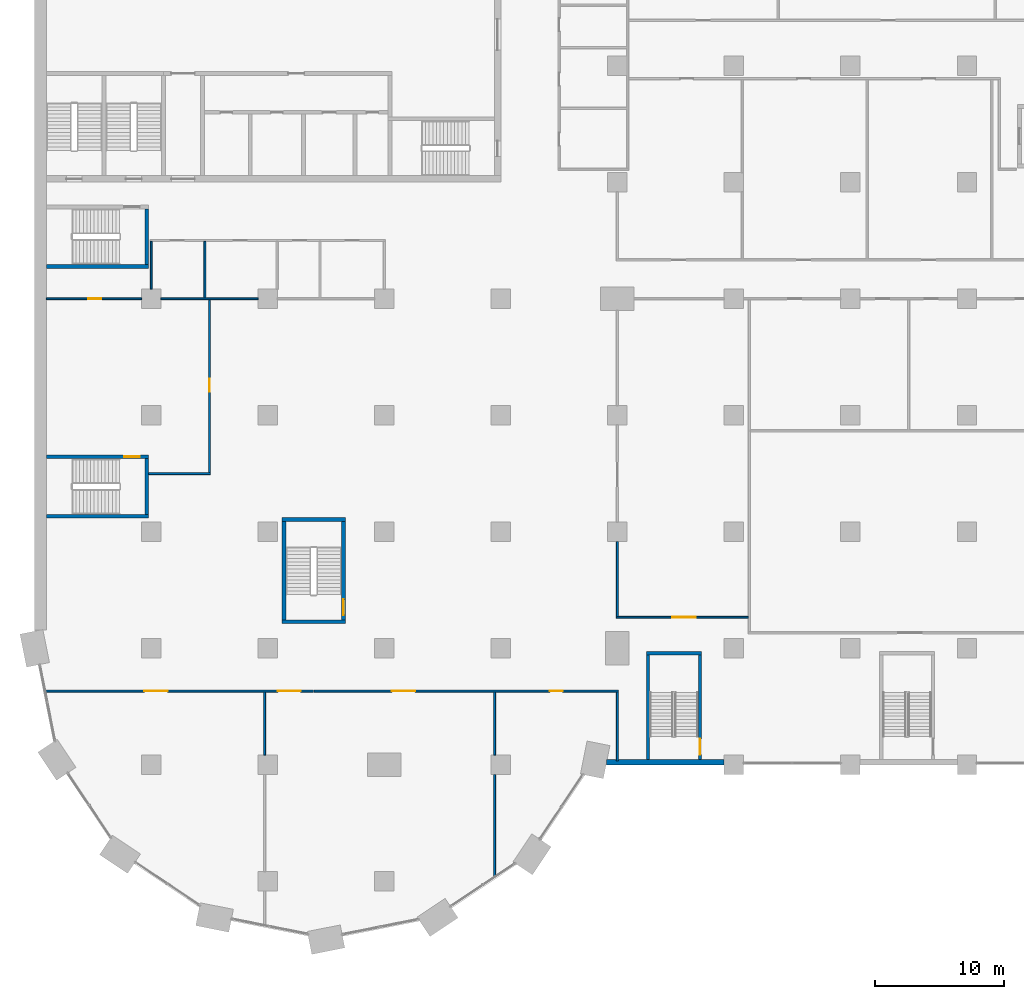
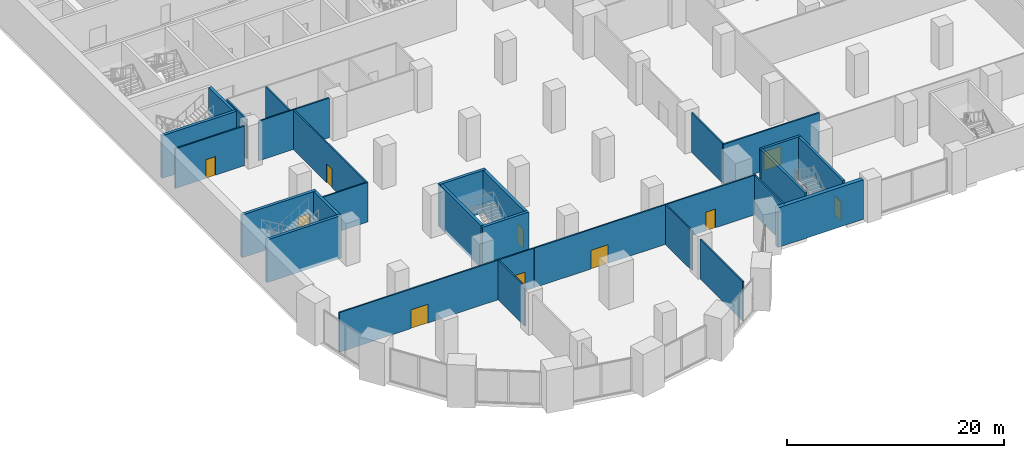
# One storey, part 12 of 31: 27 walls, 10 doors, 10 openings.
"""IFC4 building model written with IfcOpenShell, lengths in metres."""

from ifc_helpers import new_model, si_unit, direction, frame, frame_2d, origin, place, context, subcontext, project, spatial, rectangle, extrude, material, layer, layer_set, type_object, element, fill, save


model = new_model("IFC4")

# Units and contexts
model_context = context("Model", 3, precision=1e-05, world=origin(), true_north=direction((0.0, 1.0)))
body_context = subcontext(model_context, "Body", "Model", "MODEL_VIEW")
ifc_project = project(units=[si_unit("LENGTHUNIT", "METRE"), si_unit("AREAUNIT", "SQUARE_METRE"), si_unit("VOLUMEUNIT", "CUBIC_METRE"), si_unit("PLANEANGLEUNIT", "RADIAN"), si_unit("MASSUNIT", "GRAM", prefix="KILO")], contexts=[model_context])

# Site, building, storey
site_placement = place(None, origin())
site = spatial("IfcSite", under=ifc_project, at=site_placement, CompositionType="ELEMENT")
building_placement = place(site_placement, origin())
building = spatial("IfcBuilding", under=site, at=building_placement, Name="Hunhe Ridgeline Campus", CompositionType="ELEMENT")
storey_placement = place(building_placement, frame((0.0, 0.0, 16.800048828125)))
storey = spatial("IfcBuildingStorey", under=building, at=storey_placement, Name="L03", CompositionType="ELEMENT", Elevation=16.800048828125)

# Wall, opening, door
ifc_material_1 = material(Name="Plastered blockwork", Category="masonry")
ifc_layer_1 = layer(ifc_material_1, 0.14990234375)
ifc_layer_set_1 = layer_set([ifc_layer_1], Name="Blockwork partition 150")
wall_type_1 = type_object("IfcWallType", Name="Blockwork partition 150", PredefinedType="PARTITIONING", material=ifc_layer_set_1)
wall_1_placement = place(storey_placement, frame((55.125, 29.39990234375, 0.0), z_axis=(0.0, 0.0, 1.0), x_axis=(-1.0, 0.0, 0.0)))
wall_1 = element("IfcWall", 1, at=wall_1_placement, inside=storey, type_object=wall_type_1, Name="L03 partition", PredefinedType="PARTITIONING", context=body_context, shape_type="SweptSolid", body=[
    extrude(rectangle(XDim=10.199951171875, YDim=0.14990234375, at=frame_2d((5.10009765625, 0.0))), origin(), (0.0, 0.0, 1.0), 4.449951171875),
])
opening_1_placement = place(wall_1_placement, frame((4.074951171875, 0.0, 0.0)))
opening_1 = element("IfcOpeningElement", 2, at=opening_1_placement, cuts=wall_1, Name="Opening PD409", PredefinedType="OPENING", context=body_context, shape_type="SweptSolid", body=[
    extrude(rectangle(XDim=1.800048828125, YDim=2.10009765625, at=frame_2d((0.89990234375, 1.050048828125))), frame((0.0, 0.074951171875, 0.0), z_axis=(0.0, -1.0, 0.0), x_axis=(1.0, 0.0, 0.0)), (0.0, 0.0, 1.0), 0.14990234375),
])
ifc_material_2 = material(Name="Timber", Category="wood")
door_type_1 = type_object("IfcDoorType", Name="Podium timber double door 1800x2100", OperationType="NOTDEFINED", PredefinedType="DOOR", material=ifc_material_2)
door_1_placement = place(opening_1_placement, origin())
door_1 = element("IfcDoor", 3, at=door_1_placement, inside=storey, type_object=door_type_1, Name="Silent Study Room door", OperationType="DOUBLE_DOOR_SINGLE_SWING", OverallHeight=2.10009765625, OverallWidth=1.800048828125, PredefinedType="DOOR", context=body_context, shape_type="SweptSolid", body=[
    extrude(rectangle(XDim=1.800048828125, YDim=2.10009765625, at=frame_2d((0.89990234375, 1.050048828125))), frame((0.0, 0.02490234375, 0.0), z_axis=(0.0, -1.0, 0.0), x_axis=(1.0, 0.0, 0.0)), (0.0, 0.0, 1.0), 0.050048828125),
])
fill(opening_1, door_1)

# Walls
wall_2_placement = place(storey_placement, frame((45.0, 23.625, 0.0), z_axis=(0.0, 0.0, 1.0), x_axis=(0.0, -1.0, 0.0)))
element("IfcWall", 4, at=wall_2_placement, inside=storey, type_object=wall_type_1, Name="L03 partition", PredefinedType="PARTITIONING", context=body_context, shape_type="SweptSolid", body=[
    extrude(rectangle(XDim=5.324951171875, YDim=0.14990234375, at=frame_2d((2.66259765625, 0.0))), origin(), (0.0, 0.0, 1.0), 4.449951171875),
])
wall_3_placement = place(storey_placement, frame((45.0, 29.47509765625, 0.0), z_axis=(0.0, 0.0, 1.0), x_axis=(0.0, 1.0, 0.0)))
element("IfcWall", 5, at=wall_3_placement, inside=storey, type_object=wall_type_1, Name="L03 partition", PredefinedType="PARTITIONING", context=body_context, shape_type="SweptSolid", body=[
    extrude(rectangle(XDim=5.77490234375, YDim=0.14990234375, at=frame_2d((2.887451171875, 0.0))), origin(), (0.0, 0.0, 1.0), 4.449951171875),
])

# Wall, opening, door
wall_4_placement = place(storey_placement, frame((0.89990234375, 54.0, 0.0), z_axis=(0.0, 0.0, 1.0), x_axis=(1.0, 0.0, 0.0)))
wall_4 = element("IfcWall", 6, at=wall_4_placement, inside=storey, type_object=wall_type_1, Name="L03 partition", PredefinedType="PARTITIONING", context=body_context, shape_type="SweptSolid", body=[
    extrude(rectangle(XDim=7.35009765625, YDim=0.14990234375, at=frame_2d((3.675048828125, 0.0))), origin(), (0.0, 0.0, 1.0), 4.449951171875),
])
opening_2_placement = place(wall_4_placement, frame((3.25, 0.0, 0.0)))
opening_2 = element("IfcOpeningElement", 7, at=opening_2_placement, cuts=wall_4, Name="Opening PD422", PredefinedType="OPENING", context=body_context, shape_type="SweptSolid", body=[
    extrude(rectangle(XDim=1.0, YDim=2.10009765625, at=frame_2d((0.5, 1.050048828125))), frame((0.0, 0.074951171875, 0.0), z_axis=(0.0, -1.0, 0.0), x_axis=(1.0, 0.0, 0.0)), (0.0, 0.0, 1.0), 0.14990234375),
])
door_type_2 = type_object("IfcDoorType", Name="Podium timber door 1000x2100", OperationType="NOTDEFINED", PredefinedType="DOOR", material=ifc_material_2)
door_2_placement = place(opening_2_placement, origin())
door_2 = element("IfcDoor", 8, at=door_2_placement, inside=storey, type_object=door_type_2, Name="Librarians Office door", OperationType="SINGLE_SWING_RIGHT", OverallHeight=2.10009765625, OverallWidth=1.0, PredefinedType="DOOR", context=body_context, shape_type="SweptSolid", body=[
    extrude(rectangle(XDim=1.0, YDim=2.10009765625, at=frame_2d((0.5, 1.050048828125))), frame((0.0, 0.02490234375, 0.0), z_axis=(0.0, -1.0, 0.0), x_axis=(1.0, 0.0, 0.0)), (0.0, 0.0, 1.0), 0.050048828125),
])
fill(opening_2, door_2)

# Walls
wall_5_placement = place(storey_placement, frame((9.75, 54.0, 0.0), z_axis=(0.0, 0.0, 1.0), x_axis=(1.0, 0.0, 0.0)))
element("IfcWall", 9, at=wall_5_placement, inside=storey, type_object=wall_type_1, Name="L03 partition", PredefinedType="PARTITIONING", context=body_context, shape_type="SweptSolid", body=[
    extrude(rectangle(XDim=7.5, YDim=0.14990234375, at=frame_2d((3.75, 0.0))), origin(), (0.0, 0.0, 1.0), 4.449951171875),
])
wall_6_placement = place(storey_placement, frame((17.762939453125, 18.75, 0.0), z_axis=(0.0, 0.0, 1.0), x_axis=(0.0, 1.0, 0.0)))
element("IfcWall", 10, at=wall_6_placement, inside=storey, type_object=wall_type_1, Name="L03 partition", PredefinedType="PARTITIONING", context=body_context, shape_type="SweptSolid", body=[
    extrude(rectangle(XDim=4.875, YDim=0.14990234375, at=frame_2d((2.4375, 0.0))), origin(), (0.0, 0.0, 1.0), 4.449951171875),
])

# Wall, openings, doors
wall_7_placement = place(storey_placement, frame((0.842041015625, 23.699951171875, 0.0), z_axis=(0.0, 0.0, 1.0), x_axis=(1.0, 0.0, 0.0)))
wall_7 = element("IfcWall", 11, at=wall_7_placement, inside=storey, type_object=wall_type_1, Name="L03 partition", PredefinedType="PARTITIONING", context=body_context, shape_type="SweptSolid", body=[
    extrude(rectangle(XDim=20.677978515625, YDim=0.14990234375, at=frame_2d((10.3388671875, 0.0))), origin(), (0.0, 0.0, 1.0), 4.449951171875),
])
opening_3_placement = place(wall_7_placement, frame((7.6201171875, 0.0, 0.0)))
opening_3 = element("IfcOpeningElement", 12, at=opening_3_placement, cuts=wall_7, Name="Opening PD417", PredefinedType="OPENING", context=body_context, shape_type="SweptSolid", body=[
    extrude(rectangle(XDim=1.800048828125, YDim=2.10009765625, at=frame_2d((0.89990234375, 1.050048828125))), frame((0.0, 0.074951171875, 0.0), z_axis=(0.0, -1.0, 0.0), x_axis=(1.0, 0.0, 0.0)), (0.0, 0.0, 1.0), 0.14990234375),
])
opening_4_placement = place(wall_7_placement, frame((17.9208984375, 0.0, 0.0)))
opening_4 = element("IfcOpeningElement", 13, at=opening_4_placement, cuts=wall_7, Name="Opening PD419", PredefinedType="OPENING", context=body_context, shape_type="SweptSolid", body=[
    extrude(rectangle(XDim=1.800048828125, YDim=2.10009765625, at=frame_2d((0.89990234375, 1.050048828125))), frame((0.0, 0.074951171875, 0.0), z_axis=(0.0, -1.0, 0.0), x_axis=(1.0, 0.0, 0.0)), (0.0, 0.0, 1.0), 0.14990234375),
])
door_3_placement = place(opening_3_placement, origin())
door_3 = element("IfcDoor", 14, at=door_3_placement, inside=storey, type_object=door_type_1, Name="Reading Room door", OperationType="DOUBLE_DOOR_SINGLE_SWING", OverallHeight=2.10009765625, OverallWidth=1.800048828125, PredefinedType="DOOR", context=body_context, shape_type="SweptSolid", body=[
    extrude(rectangle(XDim=1.800048828125, YDim=2.10009765625, at=frame_2d((0.89990234375, 1.050048828125))), frame((0.0, 0.02490234375, 0.0), z_axis=(0.0, -1.0, 0.0), x_axis=(1.0, 0.0, 0.0)), (0.0, 0.0, 1.0), 0.050048828125),
])
fill(opening_3, door_3)
door_4_placement = place(opening_4_placement, origin())
door_4 = element("IfcDoor", 15, at=door_4_placement, inside=storey, type_object=door_type_1, Name="Reading Room door", OperationType="DOUBLE_DOOR_SINGLE_SWING", OverallHeight=2.10009765625, OverallWidth=1.800048828125, PredefinedType="DOOR", context=body_context, shape_type="SweptSolid", body=[
    extrude(rectangle(XDim=1.800048828125, YDim=2.10009765625, at=frame_2d((0.89990234375, 1.050048828125))), frame((0.0, 0.02490234375, 0.0), z_axis=(0.0, -1.0, 0.0), x_axis=(1.0, 0.0, 0.0)), (0.0, 0.0, 1.0), 0.050048828125),
])
fill(opening_4, door_4)

wall_8_placement = place(storey_placement, frame((21.580078125, 23.699951171875, 0.0), z_axis=(0.0, 0.0, 1.0), x_axis=(1.0, 0.0, 0.0)))
wall_8 = element("IfcWall", 16, at=wall_8_placement, inside=storey, type_object=wall_type_1, Name="L03 partition", PredefinedType="PARTITIONING", context=body_context, shape_type="SweptSolid", body=[
    extrude(rectangle(XDim=23.494873046875, YDim=0.14990234375, at=frame_2d((11.74755859375, 0.0))), origin(), (0.0, 0.0, 1.0), 4.449951171875),
])
opening_5_placement = place(wall_8_placement, frame((6.0, 0.0, 0.0)))
opening_5 = element("IfcOpeningElement", 17, at=opening_5_placement, cuts=wall_8, Name="Opening PD418", PredefinedType="OPENING", context=body_context, shape_type="SweptSolid", body=[
    extrude(rectangle(XDim=1.800048828125, YDim=2.10009765625, at=frame_2d((0.89990234375, 1.050048828125))), frame((0.0, 0.074951171875, 0.0), z_axis=(0.0, -1.0, 0.0), x_axis=(1.0, 0.0, 0.0)), (0.0, 0.0, 1.0), 0.14990234375),
])
opening_6_placement = place(wall_8_placement, frame((18.196044921875, 0.0, 0.0)))
opening_6 = element("IfcOpeningElement", 18, at=opening_6_placement, cuts=wall_8, Name="Opening PD420", PredefinedType="OPENING", context=body_context, shape_type="SweptSolid", body=[
    extrude(rectangle(XDim=1.0, YDim=2.10009765625, at=frame_2d((0.5, 1.050048828125))), frame((0.0, 0.074951171875, 0.0), z_axis=(0.0, -1.0, 0.0), x_axis=(1.0, 0.0, 0.0)), (0.0, 0.0, 1.0), 0.14990234375),
])
door_5_placement = place(opening_6_placement, origin())
door_5 = element("IfcDoor", 19, at=door_5_placement, inside=storey, type_object=door_type_2, Name="Library Help Desk Office door", OperationType="SINGLE_SWING_RIGHT", OverallHeight=2.10009765625, OverallWidth=1.0, PredefinedType="DOOR", context=body_context, shape_type="SweptSolid", body=[
    extrude(rectangle(XDim=1.0, YDim=2.10009765625, at=frame_2d((0.5, 1.050048828125))), frame((0.0, 0.02490234375, 0.0), z_axis=(0.0, -1.0, 0.0), x_axis=(1.0, 0.0, 0.0)), (0.0, 0.0, 1.0), 0.050048828125),
])
fill(opening_6, door_5)
door_6_placement = place(opening_5_placement, origin())
door_6 = element("IfcDoor", 20, at=door_6_placement, inside=storey, type_object=door_type_1, Name="Reading Room door", OperationType="DOUBLE_DOOR_SINGLE_SWING", OverallHeight=2.10009765625, OverallWidth=1.800048828125, PredefinedType="DOOR", context=body_context, shape_type="SweptSolid", body=[
    extrude(rectangle(XDim=1.800048828125, YDim=2.10009765625, at=frame_2d((0.89990234375, 1.050048828125))), frame((0.0, 0.02490234375, 0.0), z_axis=(0.0, -1.0, 0.0), x_axis=(1.0, 0.0, 0.0)), (0.0, 0.0, 1.0), 0.050048828125),
])
fill(opening_5, door_6)

# Walls
wall_9_placement = place(storey_placement, frame((35.52587890625, 9.404052734375, 0.0), z_axis=(0.0, 0.0, 1.0), x_axis=(0.0, 1.0, 0.0)))
element("IfcWall", 21, at=wall_9_placement, inside=storey, type_object=wall_type_1, Name="L03 partition", PredefinedType="PARTITIONING", context=body_context, shape_type="SweptSolid", body=[
    extrude(rectangle(XDim=7.845947265625, YDim=0.14990234375, at=frame_2d((3.9228515625, 0.0))), origin(), (0.0, 0.0, 1.0), 4.449951171875),
])
wall_10_placement = place(storey_placement, frame((35.52587890625, 18.75, 0.0), z_axis=(0.0, 0.0, 1.0), x_axis=(0.0, 1.0, 0.0)))
element("IfcWall", 22, at=wall_10_placement, inside=storey, type_object=wall_type_1, Name="L03 partition", PredefinedType="PARTITIONING", context=body_context, shape_type="SweptSolid", body=[
    extrude(rectangle(XDim=4.875, YDim=0.14990234375, at=frame_2d((2.4375, 0.0))), origin(), (0.0, 0.0, 1.0), 4.449951171875),
])

# Wall, opening, door
wall_11_placement = place(storey_placement, frame((13.5, 53.925048828125, 0.0), z_axis=(0.0, 0.0, 1.0), x_axis=(0.0, -1.0, 0.0)))
wall_11 = element("IfcWall", 23, at=wall_11_placement, inside=storey, type_object=wall_type_1, Name="L03 partition", PredefinedType="PARTITIONING", context=body_context, shape_type="SweptSolid", body=[
    extrude(rectangle(XDim=13.35009765625, YDim=0.14990234375, at=frame_2d((6.675048828125, 0.0))), origin(), (0.0, 0.0, 1.0), 4.449951171875),
])
opening_7_placement = place(wall_11_placement, frame((6.10009765625, 0.0, 0.0)))
opening_7 = element("IfcOpeningElement", 24, at=opening_7_placement, cuts=wall_11, Name="Opening PD421", PredefinedType="OPENING", context=body_context, shape_type="SweptSolid", body=[
    extrude(rectangle(XDim=1.0, YDim=2.10009765625, at=frame_2d((0.5, 1.050048828125))), frame((0.0, 0.074951171875, 0.0), z_axis=(0.0, -1.0, 0.0), x_axis=(1.0, 0.0, 0.0)), (0.0, 0.0, 1.0), 0.14990234375),
])
door_7_placement = place(opening_7_placement, origin())
door_7 = element("IfcDoor", 25, at=door_7_placement, inside=storey, type_object=door_type_2, Name="Librarians Office door", OperationType="SINGLE_SWING_LEFT", OverallHeight=2.10009765625, OverallWidth=1.0, PredefinedType="DOOR", context=body_context, shape_type="SweptSolid", body=[
    extrude(rectangle(XDim=1.0, YDim=2.10009765625, at=frame_2d((0.5, 1.050048828125))), frame((0.0, 0.02490234375, 0.0), z_axis=(0.0, -1.0, 0.0), x_axis=(1.0, 0.0, 0.0)), (0.0, 0.0, 1.0), 0.050048828125),
])
fill(opening_7, door_7)

# Walls
wall_12_placement = place(storey_placement, frame((13.574951171875, 40.5, 0.0), z_axis=(0.0, 0.0, 1.0), x_axis=(-1.0, 0.0, 0.0)))
element("IfcWall", 26, at=wall_12_placement, inside=storey, type_object=wall_type_1, Name="L03 partition", PredefinedType="PARTITIONING", context=body_context, shape_type="SweptSolid", body=[
    extrude(rectangle(XDim=4.77490234375, YDim=0.14990234375, at=frame_2d((2.387451171875, 0.0))), origin(), (0.0, 0.0, 1.0), 4.449951171875),
])
wall_13_placement = place(storey_placement, frame((13.137939453125, 54.074951171875, 0.0), z_axis=(0.0, 0.0, 1.0), x_axis=(0.0, 1.0, 0.0)))
element("IfcWall", 27, at=wall_13_placement, inside=storey, type_object=wall_type_1, Name="L03 partition", PredefinedType="PARTITIONING", context=body_context, shape_type="SweptSolid", body=[
    extrude(rectangle(XDim=4.35009765625, YDim=0.14990234375, at=frame_2d((2.175048828125, 0.0))), origin(), (0.0, 0.0, 1.0), 4.449951171875),
])
wall_14_placement = place(storey_placement, frame((9.0, 54.75, 0.0), z_axis=(0.0, 0.0, 1.0), x_axis=(0.0, 1.0, 0.0)))
element("IfcWall", 28, at=wall_14_placement, inside=storey, type_object=wall_type_1, Name="L03 partition", PredefinedType="PARTITIONING", context=body_context, shape_type="SweptSolid", body=[
    extrude(rectangle(XDim=3.675048828125, YDim=0.14990234375, at=frame_2d((1.83740234375, 0.0))), origin(), (0.0, 0.0, 1.0), 4.449951171875),
])
ifc_material_3 = material(Name="Concrete C40", Category="concrete")
ifc_layer_2 = layer(ifc_material_3, 0.39990234375)
ifc_layer_set_2 = layer_set([ifc_layer_2], Name="Stair shaft facade wall 400 C40")
wall_type_2 = type_object("IfcWallType", Name="Stair shaft facade wall 400 C40", PredefinedType="SOLIDWALL", material=ifc_layer_set_2)
wall_15_placement = place(storey_placement, frame((53.25, 18.199951171875, 0.0), z_axis=(0.0, 0.0, 1.0), x_axis=(-1.0, 0.0, 0.0)))
element("IfcWall", 29, at=wall_15_placement, inside=storey, type_object=wall_type_2, Name="L03 stair facade wall", PredefinedType="SOLIDWALL", context=body_context, shape_type="SweptSolid", body=[
    extrude(rectangle(XDim=9.0927734375, YDim=0.39990234375, at=frame_2d((4.54638671875, 0.0))), origin(), (0.0, 0.0, 1.0), 4.449951171875),
])
ifc_layer_3 = layer(ifc_material_3, 0.25)
ifc_layer_set_3 = layer_set([ifc_layer_3], Name="Stair shaft wall 250 C40")
wall_type_3 = type_object("IfcWallType", Name="Stair shaft wall 250 C40", PredefinedType="SOLIDWALL", material=ifc_layer_set_3)
wall_16_placement = place(storey_placement, frame((47.375, 18.39990234375, 0.0), z_axis=(0.0, 0.0, 1.0), x_axis=(0.0, 1.0, 0.0)))
element("IfcWall", 30, at=wall_16_placement, inside=storey, type_object=wall_type_3, Name="L03 PS1 shaft wall", PredefinedType="SOLIDWALL", context=body_context, shape_type="SweptSolid", body=[
    extrude(rectangle(XDim=8.10009765625, YDim=0.25, at=frame_2d((4.050048828125, 0.0))), origin(), (0.0, 0.0, 1.0), 4.800048828125),
])

# Wall, opening, door
wall_17_placement = place(storey_placement, frame((51.375, 26.5, 0.0), z_axis=(0.0, 0.0, 1.0), x_axis=(0.0, -1.0, 0.0)))
wall_17 = element("IfcWall", 31, at=wall_17_placement, inside=storey, type_object=wall_type_3, Name="L03 PS1 shaft wall", PredefinedType="SOLIDWALL", context=body_context, shape_type="SweptSolid", body=[
    extrude(rectangle(XDim=8.10009765625, YDim=0.25, at=frame_2d((4.050048828125, 0.0))), origin(), (0.0, 0.0, 1.0), 4.800048828125),
])
opening_8_placement = place(wall_17_placement, frame((6.5, 0.0, 0.0)))
opening_8 = element("IfcOpeningElement", 32, at=opening_8_placement, cuts=wall_17, Name="Opening PD401", PredefinedType="OPENING", context=body_context, shape_type="SweptSolid", body=[
    extrude(rectangle(XDim=1.199951171875, YDim=2.10009765625, at=frame_2d((0.60009765625, 1.050048828125))), frame((0.0, 0.125, 0.0), z_axis=(0.0, -1.0, 0.0), x_axis=(1.0, 0.0, 0.0)), (0.0, 0.0, 1.0), 0.25),
])
ifc_material_4 = material(Name="Steel Q235", Category="steel")
door_type_3 = type_object("IfcDoorType", Name="Podium fire door 1200x2100 FD60", OperationType="NOTDEFINED", PredefinedType="DOOR", material=ifc_material_4)
door_8_placement = place(opening_8_placement, origin())
door_8 = element("IfcDoor", 33, at=door_8_placement, inside=storey, type_object=door_type_3, Name="Stair door PS1", OperationType="SINGLE_SWING_LEFT", OverallHeight=2.10009765625, OverallWidth=1.199951171875, PredefinedType="DOOR", context=body_context, shape_type="SweptSolid", body=[
    extrude(rectangle(XDim=1.199951171875, YDim=2.10009765625, at=frame_2d((0.60009765625, 1.050048828125))), frame((0.0, 0.02490234375, 0.0), z_axis=(0.0, -1.0, 0.0), x_axis=(1.0, 0.0, 0.0)), (0.0, 0.0, 1.0), 0.050048828125),
])
fill(opening_8, door_8)

# Walls
wall_18_placement = place(storey_placement, frame((47.25, 26.625, 0.0), z_axis=(0.0, 0.0, 1.0), x_axis=(1.0, 0.0, 0.0)))
element("IfcWall", 34, at=wall_18_placement, inside=storey, type_object=wall_type_3, Name="L03 PS1 shaft wall", PredefinedType="SOLIDWALL", context=body_context, shape_type="SweptSolid", body=[
    extrude(rectangle(XDim=4.25, YDim=0.25, at=frame_2d((2.125, 0.0))), origin(), (0.0, 0.0, 1.0), 4.800048828125),
])
ifc_material_5 = material(Name="Concrete C80", Category="concrete")
ifc_layer_4 = layer(ifc_material_5, 0.300048828125)
ifc_layer_set_4 = layer_set([ifc_layer_4], Name="Stair wall 300 reinforced concrete C80")
wall_type_4 = type_object("IfcWallType", Name="Stair wall 300 reinforced concrete C80", PredefinedType="SOLIDWALL", material=ifc_layer_set_4)
for number, where, z_axis, x_axis, name in (
    (35, (19.10009765625, 29.050048828125, -0.35009765625), (0.0, 0.0, 1.0), (1.0, 0.0, 0.0), "L03 core wall 1"),
    (36, (19.10009765625, 36.949951171875, -0.35009765625), (0.0, 0.0, 1.0), (1.0, 0.0, 0.0), "L03 core wall 2"),
):
    element("IfcWall", number, at=place(storey_placement, frame(where, z_axis=z_axis, x_axis=x_axis)), inside=storey, type_object=wall_type_4, Name=name, PredefinedType="SOLIDWALL", context=body_context, shape_type="SweptSolid", body=[
        extrude(rectangle(XDim=4.89990234375, YDim=0.300048828125, at=frame_2d((2.449951171875, 0.0))), origin(), (0.0, 0.0, 1.0), 4.800048828125),
    ])
wall_19_placement = place(storey_placement, frame((0.89990234375, 37.199951171875, -0.35009765625), z_axis=(0.0, 0.0, 1.0), x_axis=(1.0, 0.0, 0.0)))
element("IfcWall", 37, at=wall_19_placement, inside=storey, type_object=wall_type_4, Name="L03 core wall 3", PredefinedType="SOLIDWALL", context=body_context, shape_type="SweptSolid", body=[
    extrude(rectangle(XDim=7.900146484375, YDim=0.300048828125, at=frame_2d((3.9501953125, 0.0))), origin(), (0.0, 0.0, 1.0), 4.800048828125),
])

# Wall, opening, door
wall_20_placement = place(storey_placement, frame((0.89990234375, 41.800048828125, -0.35009765625), z_axis=(0.0, 0.0, 1.0), x_axis=(1.0, 0.0, 0.0)))
wall_20 = element("IfcWall", 38, at=wall_20_placement, inside=storey, type_object=wall_type_4, Name="L03 core wall 4", PredefinedType="SOLIDWALL", context=body_context, shape_type="SweptSolid", body=[
    extrude(rectangle(XDim=7.900146484375, YDim=0.300048828125, at=frame_2d((3.9501953125, 0.0))), origin(), (0.0, 0.0, 1.0), 4.800048828125),
])
opening_9_placement = place(wall_20_placement, frame((6.0, 0.0, 0.35009765625)))
opening_9 = element("IfcOpeningElement", 39, at=opening_9_placement, cuts=wall_20, Name="Opening CD21", PredefinedType="OPENING", context=body_context, shape_type="SweptSolid", body=[
    extrude(rectangle(XDim=1.199951171875, YDim=2.10009765625, at=frame_2d((0.60009765625, 1.050048828125))), frame((0.0, 0.14990234375, 0.0), z_axis=(0.0, -1.0, 0.0), x_axis=(1.0, 0.0, 0.0)), (0.0, 0.0, 1.0), 0.300048828125),
])
ifc_material_6 = material(Name="Hollow metal fire door leaf")
door_type_4 = type_object("IfcDoorType", Name="Stair door 1200x2100 FD60", OperationType="SINGLE_SWING_LEFT", PredefinedType="DOOR", material=ifc_material_6)
door_9_placement = place(opening_9_placement, origin())
door_9 = element("IfcDoor", 40, at=door_9_placement, inside=storey, type_object=door_type_4, Name="L03 door W1", OperationType="SINGLE_SWING_LEFT", OverallHeight=2.10009765625, OverallWidth=1.199951171875, PredefinedType="DOOR", context=body_context, shape_type="SweptSolid", body=[
    extrude(rectangle(XDim=1.199951171875, YDim=2.10009765625, at=frame_2d((0.60009765625, 1.050048828125))), frame((0.0, 0.02490234375, 0.0), z_axis=(0.0, -1.0, 0.0), x_axis=(1.0, 0.0, 0.0)), (0.0, 0.0, 1.0), 0.050048828125),
])
fill(opening_9, door_9)

# Walls
wall_21_placement = place(storey_placement, frame((0.89990234375, 56.5, -0.35009765625), z_axis=(0.0, 0.0, 1.0), x_axis=(1.0, 0.0, 0.0)))
element("IfcWall", 41, at=wall_21_placement, inside=storey, type_object=wall_type_4, Name="L03 core wall 5", PredefinedType="SOLIDWALL", context=body_context, shape_type="SweptSolid", body=[
    extrude(rectangle(XDim=7.900146484375, YDim=0.300048828125, at=frame_2d((3.9501953125, 0.0))), origin(), (0.0, 0.0, 1.0), 4.800048828125),
])
wall_22_placement = place(storey_placement, frame((8.64990234375, 37.35009765625, -0.35009765625), z_axis=(0.0, 0.0, 1.0), x_axis=(0.0, 1.0, 0.0)))
element("IfcWall", 42, at=wall_22_placement, inside=storey, type_object=wall_type_4, Name="L03 core wall 39", PredefinedType="SOLIDWALL", context=body_context, shape_type="SweptSolid", body=[
    extrude(rectangle(XDim=4.2998046875, YDim=0.300048828125, at=frame_2d((2.14990234375, 0.0))), origin(), (0.0, 0.0, 1.0), 4.800048828125),
])
wall_23_placement = place(storey_placement, frame((8.64990234375, 56.64990234375, -0.35009765625), z_axis=(0.0, 0.0, 1.0), x_axis=(0.0, 1.0, 0.0)))
element("IfcWall", 43, at=wall_23_placement, inside=storey, type_object=wall_type_4, Name="L03 core wall 40", PredefinedType="SOLIDWALL", context=body_context, shape_type="SweptSolid", body=[
    extrude(rectangle(XDim=4.300048828125, YDim=0.300048828125, at=frame_2d((2.14990234375, 0.0))), origin(), (0.0, 0.0, 1.0), 4.800048828125),
])
wall_24_placement = place(storey_placement, frame((19.25, 29.199951171875, -0.35009765625), z_axis=(0.0, 0.0, 1.0), x_axis=(0.0, 1.0, 0.0)))
element("IfcWall", 44, at=wall_24_placement, inside=storey, type_object=wall_type_4, Name="L03 core wall 50", PredefinedType="SOLIDWALL", context=body_context, shape_type="SweptSolid", body=[
    extrude(rectangle(XDim=7.60009765625, YDim=0.300048828125, at=frame_2d((3.800048828125, 0.0))), origin(), (0.0, 0.0, 1.0), 4.800048828125),
])

# Wall, opening, door
wall_25_placement = place(storey_placement, frame((23.85009765625, 29.199951171875, -0.35009765625), z_axis=(0.0, 0.0, 1.0), x_axis=(0.0, 1.0, 0.0)))
wall_25 = element("IfcWall", 45, at=wall_25_placement, inside=storey, type_object=wall_type_4, Name="L03 core wall 55", PredefinedType="SOLIDWALL", context=body_context, shape_type="SweptSolid", body=[
    extrude(rectangle(XDim=7.60009765625, YDim=0.300048828125, at=frame_2d((3.800048828125, 0.0))), origin(), (0.0, 0.0, 1.0), 4.800048828125),
])
opening_10_placement = place(wall_25_placement, frame((0.375, 0.0, 0.35009765625)))
opening_10 = element("IfcOpeningElement", 46, at=opening_10_placement, cuts=wall_25, Name="Opening CD23", PredefinedType="OPENING", context=body_context, shape_type="SweptSolid", body=[
    extrude(rectangle(XDim=1.199951171875, YDim=2.10009765625, at=frame_2d((0.60009765625, 1.050048828125))), frame((0.0, 0.14990234375, 0.0), z_axis=(0.0, -1.0, 0.0), x_axis=(1.0, 0.0, 0.0)), (0.0, 0.0, 1.0), 0.300048828125),
])
door_10_placement = place(opening_10_placement, frame((1.199951171875, 0.0, 0.0), z_axis=(0.0, 0.0, 1.0), x_axis=(-1.0, 0.0, 0.0)))
door_10 = element("IfcDoor", 47, at=door_10_placement, inside=storey, type_object=door_type_4, Name="L03 door W3", OperationType="SINGLE_SWING_RIGHT", OverallHeight=2.10009765625, OverallWidth=1.199951171875, PredefinedType="DOOR", context=body_context, shape_type="SweptSolid", body=[
    extrude(rectangle(XDim=1.199951171875, YDim=2.10009765625, at=frame_2d((0.60009765625, 1.050048828125))), frame((0.0, 0.02490234375, 0.0), z_axis=(0.0, -1.0, 0.0), x_axis=(1.0, 0.0, 0.0)), (0.0, 0.0, 1.0), 0.050048828125),
])
fill(opening_10, door_10)

save(model, "model.ifc")
